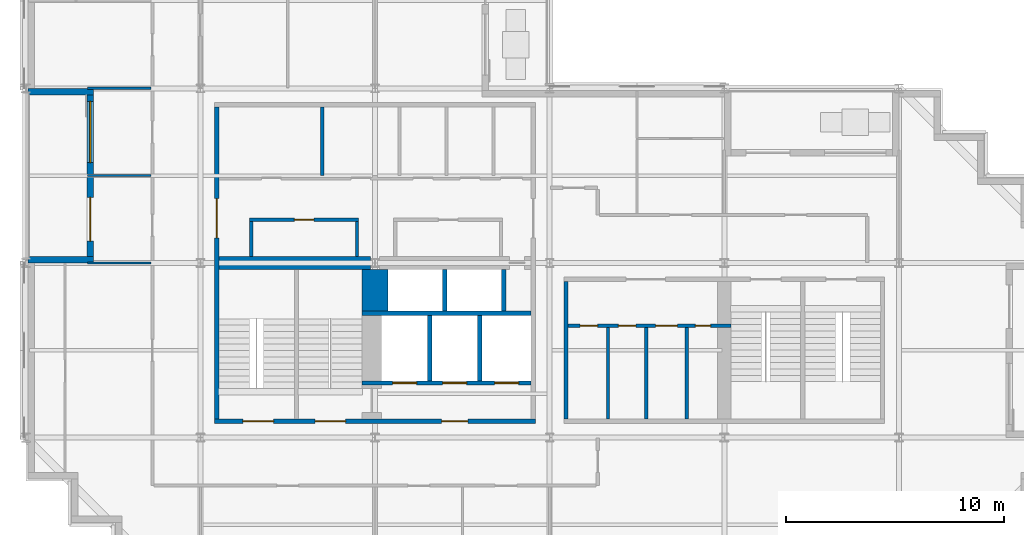
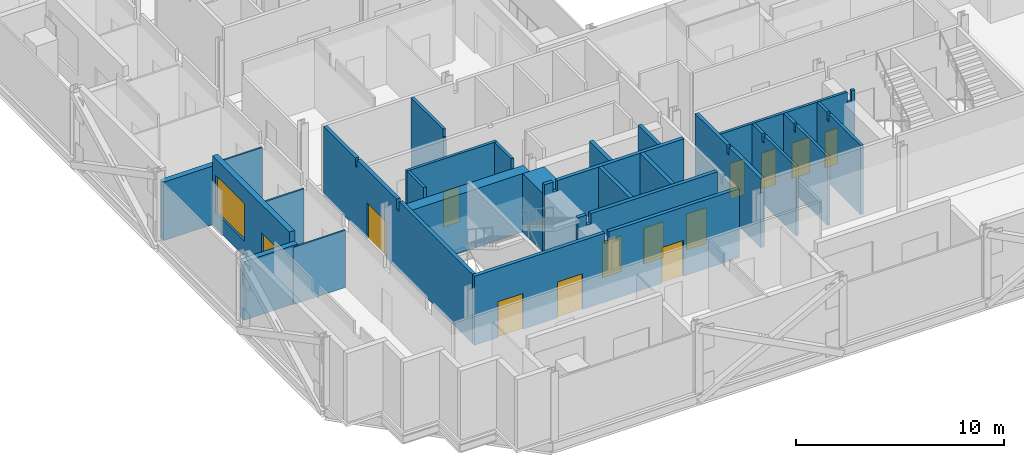
# One storey, part 5 of 13: 25 walls, 13 doors, 1 window, 14 openings.
"""IFC4 building model written with IfcOpenShell, lengths in metres."""

from ifc_helpers import new_model, si_unit, direction, frame, frame_2d, origin, place, context, subcontext, project, spatial, polyline, rectangle, outline, extrude, material, layer, layer_set, type_object, element, fill, save


model = new_model("IFC4")

# Units and contexts
model_context = context("Model", 3, precision=1e-05, world=origin(), true_north=direction((0.0, 1.0)))
body_context = subcontext(model_context, "Body", "Model", "MODEL_VIEW")
ifc_project = project(units=[si_unit("LENGTHUNIT", "METRE"), si_unit("AREAUNIT", "SQUARE_METRE"), si_unit("VOLUMEUNIT", "CUBIC_METRE"), si_unit("PLANEANGLEUNIT", "RADIAN"), si_unit("MASSUNIT", "GRAM", prefix="KILO")], contexts=[model_context])

# Site, building, storey
site_placement = place(None, origin())
site = spatial("IfcSite", under=ifc_project, at=site_placement, CompositionType="ELEMENT")
building_placement = place(site_placement, origin())
building = spatial("IfcBuilding", under=site, at=building_placement, Name="Immortelle Media Tower", CompositionType="ELEMENT")
storey_placement = place(building_placement, frame((0.0, 0.0, 166.199951171875)))
storey = spatial("IfcBuildingStorey", under=building, at=storey_placement, Name="L34", CompositionType="ELEMENT", Elevation=166.199951171875)

# Wall
ifc_material_1 = material(Name="Fire-rated gypsum board", Category="gypsum")
ifc_layer_1 = layer(ifc_material_1, 0.02490234375)
ifc_material_2 = material(Name="Steel ASTM A653 SS Gr 50 stud frame with mineral wool", Category="steel")
ifc_layer_2 = layer(ifc_material_2, 0.10009765625)
ifc_layer_3 = layer(ifc_material_1, 0.02490234375)
ifc_layer_set_1 = layer_set([ifc_layer_1, ifc_layer_2, ifc_layer_3], Name="Steel ASTM A653 SS Gr 50 stud frame with mineral wool")
wall_type_1 = type_object("IfcWallType", Name="Core partition 150", PredefinedType="PARTITIONING", material=ifc_layer_set_1)
wall_1_placement = place(storey_placement, frame((10.324951171875, 16.300048828125, 0.0), z_axis=(0.0, 0.0, 1.0), x_axis=(0.0, 1.0, 0.0)))
element("IfcWall", 1, at=wall_1_placement, inside=storey, type_object=wall_type_1, Name="Core partition SW", PredefinedType="PARTITIONING", context=body_context, shape_type="SweptSolid", body=[
    extrude(rectangle(XDim=1.599853515625, YDim=0.14990234375, at=frame_2d((0.7998046875, 0.0))), origin(), (0.0, 0.0, 1.0), 4.050048828125),
])

# Wall, opening, door
wall_2_placement = place(storey_placement, frame((10.25, 17.97509765625, 0.0), z_axis=(0.0, 0.0, 1.0), x_axis=(1.0, 0.0, 0.0)))
wall_2 = element("IfcWall", 2, at=wall_2_placement, inside=storey, type_object=wall_type_1, Name="Core partition SW", PredefinedType="PARTITIONING", context=body_context, shape_type="SweptSolid", body=[
    extrude(rectangle(XDim=5.0, YDim=0.14990234375, at=frame_2d((2.5, 0.0))), origin(), (0.0, 0.0, 1.0), 4.050048828125),
])
opening_1_placement = place(wall_2_placement, frame((2.949951171875, 0.0, 0.0), z_axis=(0.0, 0.0, 1.0), x_axis=(-1.0, 0.0, 0.0)))
opening_1 = element("IfcOpeningElement", 3, at=opening_1_placement, cuts=wall_2, Name="Opening C5-K004", PredefinedType="OPENING", context=body_context, shape_type="SweptSolid", body=[
    extrude(rectangle(XDim=0.89990234375, YDim=2.10009765625, at=frame_2d((0.449951171875, 1.050048828125))), frame((0.0, 0.0849609375, 0.0), z_axis=(0.0, -1.0, 0.0), x_axis=(1.0, 0.0, 0.0)), (0.0, 0.0, 1.0), 0.169921875),
])
ifc_material_3 = material(Name="Timber", Category="wood")
door_type_1 = type_object("IfcDoorType", Name="Room door 900 x 2100", OperationType="NOTDEFINED", PredefinedType="NOTDEFINED", material=ifc_material_3)
door_1_placement = place(opening_1_placement, origin())
door_1 = element("IfcDoor", 4, at=door_1_placement, inside=storey, type_object=door_type_1, Name="Room C5-K004", OperationType="SINGLE_SWING_LEFT", OverallHeight=2.10009765625, OverallWidth=0.89990234375, PredefinedType="NOTDEFINED", context=body_context, shape_type="SweptSolid", body=[
    extrude(rectangle(XDim=0.89990234375, YDim=2.10009765625, at=frame_2d((0.449951171875, 1.050048828125))), frame((0.0, 0.02490234375, 0.0), z_axis=(0.0, -1.0, 0.0), x_axis=(1.0, 0.0, 0.0)), (0.0, 0.0, 1.0), 0.050048828125),
])
fill(opening_1, door_1)

# Walls
wall_3_placement = place(storey_placement, frame((13.574951171875, 20.0, 0.0), z_axis=(0.0, 0.0, 1.0), x_axis=(0.0, 1.0, 0.0)))
element("IfcWall", 5, at=wall_3_placement, inside=storey, type_object=wall_type_1, Name="Core partition SW", PredefinedType="PARTITIONING", context=body_context, shape_type="SweptSolid", body=[
    extrude(outline(polyline([(0.0, 0.0), (3.14990234375, 0.0), (3.14990234375, 4.050048828125), (0.08154296875, 4.050048828125), (0.08056640625, 3.589111328125), (0.0, 3.589111328125), (0.0, 0.0)])), frame((0.0, 0.074951171875, 0.0), z_axis=(0.0, -1.0, 0.0), x_axis=(1.0, 0.0, 0.0)), (0.0, 0.0, 1.0), 0.14990234375),
])
wall_4_placement = place(storey_placement, frame((15.175048828125, 16.300048828125, 0.0), z_axis=(0.0, 0.0, 1.0), x_axis=(0.0, 1.0, 0.0)))
element("IfcWall", 6, at=wall_4_placement, inside=storey, type_object=wall_type_1, Name="Core partition SW", PredefinedType="PARTITIONING", context=body_context, shape_type="SweptSolid", body=[
    extrude(rectangle(XDim=1.599853515625, YDim=0.14990234375, at=frame_2d((0.7998046875, 0.0))), origin(), (0.0, 0.0, 1.0), 4.050048828125),
])

# Wall, openings, doors
wall_5_placement = place(storey_placement, frame((24.85009765625, 13.125, 0.0), z_axis=(0.0, 0.0, 1.0), x_axis=(1.0, 0.0, 0.0)))
wall_5 = element("IfcWall", 7, at=wall_5_placement, inside=storey, type_object=wall_type_1, Name="Core partition SE", PredefinedType="PARTITIONING", context=body_context, shape_type="SweptSolid", body=[
    extrude(outline(polyline([(0.0, 0.0), (7.449951171875, 0.0), (7.449951171875, 4.050048828125), (7.26904296875, 4.050048828125), (7.26806640625, 3.442138671875), (7.031982421875, 3.442138671875), (7.031005859375, 4.050048828125), (0.0, 4.050048828125), (0.0, 0.0)])), frame((0.0, 0.074951171875, 0.0), z_axis=(0.0, -1.0, 0.0), x_axis=(1.0, 0.0, 0.0)), (0.0, 0.0, 1.0), 0.14990234375),
])
opening_2_placement = place(wall_5_placement, frame((1.35009765625, 0.0, 0.0), z_axis=(0.0, 0.0, 1.0), x_axis=(-1.0, 0.0, 0.0)))
opening_2 = element("IfcOpeningElement", 8, at=opening_2_placement, cuts=wall_5, Name="Opening C5-K018", PredefinedType="OPENING", context=body_context, shape_type="SweptSolid", body=[
    extrude(rectangle(XDim=0.800048828125, YDim=2.10009765625, at=frame_2d((0.39990234375, 1.050048828125))), frame((0.0, 0.0849609375, 0.0), z_axis=(0.0, -1.0, 0.0), x_axis=(1.0, 0.0, 0.0)), (0.0, 0.0, 1.0), 0.169921875),
])
opening_3_placement = place(wall_5_placement, frame((3.10009765625, 0.0, 0.0), z_axis=(0.0, 0.0, 1.0), x_axis=(-1.0, 0.0, 0.0)))
opening_3 = element("IfcOpeningElement", 9, at=opening_3_placement, cuts=wall_5, Name="Opening C5-K019", PredefinedType="OPENING", context=body_context, shape_type="SweptSolid", body=[
    extrude(rectangle(XDim=0.800048828125, YDim=2.10009765625, at=frame_2d((0.39990234375, 1.050048828125))), frame((0.0, 0.0849609375, 0.0), z_axis=(0.0, -1.0, 0.0), x_axis=(1.0, 0.0, 0.0)), (0.0, 0.0, 1.0), 0.169921875),
])
opening_4_placement = place(wall_5_placement, frame((5.0, 0.0, 0.0), z_axis=(0.0, 0.0, 1.0), x_axis=(-1.0, 0.0, 0.0)))
opening_4 = element("IfcOpeningElement", 10, at=opening_4_placement, cuts=wall_5, Name="Opening C5-K021", PredefinedType="OPENING", context=body_context, shape_type="SweptSolid", body=[
    extrude(rectangle(XDim=1.0, YDim=2.10009765625, at=frame_2d((0.5, 1.050048828125))), frame((0.0, 0.0849609375, 0.0), z_axis=(0.0, -1.0, 0.0), x_axis=(1.0, 0.0, 0.0)), (0.0, 0.0, 1.0), 0.169921875),
])
opening_5_placement = place(wall_5_placement, frame((6.52490234375, 0.0, 0.0), z_axis=(0.0, 0.0, 1.0), x_axis=(-1.0, 0.0, 0.0)))
opening_5 = element("IfcOpeningElement", 11, at=opening_5_placement, cuts=wall_5, Name="Opening C5-K022", PredefinedType="OPENING", context=body_context, shape_type="SweptSolid", body=[
    extrude(rectangle(XDim=0.699951171875, YDim=2.10009765625, at=frame_2d((0.35009765625, 1.050048828125))), frame((0.0, 0.0849609375, 0.0), z_axis=(0.0, -1.0, 0.0), x_axis=(1.0, 0.0, 0.0)), (0.0, 0.0, 1.0), 0.169921875),
])
door_type_2 = type_object("IfcDoorType", Name="Accessible toilet door 1000 x 2100", OperationType="NOTDEFINED", PredefinedType="NOTDEFINED", material=ifc_material_3)
door_2_placement = place(opening_4_placement, origin())
door_2 = element("IfcDoor", 12, at=door_2_placement, inside=storey, type_object=door_type_2, Name="Accessible toilet C5-K021", OperationType="SINGLE_SWING_LEFT", OverallHeight=2.10009765625, OverallWidth=1.0, PredefinedType="NOTDEFINED", context=body_context, shape_type="SweptSolid", body=[
    extrude(rectangle(XDim=1.0, YDim=2.10009765625, at=frame_2d((0.5, 1.050048828125))), frame((0.0, 0.02490234375, 0.0), z_axis=(0.0, -1.0, 0.0), x_axis=(1.0, 0.0, 0.0)), (0.0, 0.0, 1.0), 0.050048828125),
])
fill(opening_4, door_2)
ifc_material_4 = material(Name="Galvanised steel door leaf and frame ASTM A653", Category="steel")
door_type_3 = type_object("IfcDoorType", Name="Service door 700 x 2100", OperationType="NOTDEFINED", PredefinedType="NOTDEFINED", material=ifc_material_4)
door_3_placement = place(opening_5_placement, origin())
door_3 = element("IfcDoor", 13, at=door_3_placement, inside=storey, type_object=door_type_3, Name="Service C5-K022", OperationType="SINGLE_SWING_LEFT", OverallHeight=2.10009765625, OverallWidth=0.699951171875, PredefinedType="NOTDEFINED", context=body_context, shape_type="SweptSolid", body=[
    extrude(rectangle(XDim=0.699951171875, YDim=2.10009765625, at=frame_2d((0.35009765625, 1.050048828125))), frame((0.0, 0.02490234375, 0.0), z_axis=(0.0, -1.0, 0.0), x_axis=(1.0, 0.0, 0.0)), (0.0, 0.0, 1.0), 0.050048828125),
])
fill(opening_5, door_3)
door_type_4 = type_object("IfcDoorType", Name="Toilet door 800 x 2100", OperationType="NOTDEFINED", PredefinedType="NOTDEFINED", material=ifc_material_3)
door_4_placement = place(opening_2_placement, origin())
door_4 = element("IfcDoor", 14, at=door_4_placement, inside=storey, type_object=door_type_4, Name="Toilet C5-K018", OperationType="SINGLE_SWING_LEFT", OverallHeight=2.10009765625, OverallWidth=0.800048828125, PredefinedType="NOTDEFINED", context=body_context, shape_type="SweptSolid", body=[
    extrude(rectangle(XDim=0.800048828125, YDim=2.10009765625, at=frame_2d((0.39990234375, 1.050048828125))), frame((0.0, 0.02490234375, 0.0), z_axis=(0.0, -1.0, 0.0), x_axis=(1.0, 0.0, 0.0)), (0.0, 0.0, 1.0), 0.050048828125),
])
fill(opening_2, door_4)
door_5_placement = place(opening_3_placement, origin())
door_5 = element("IfcDoor", 15, at=door_5_placement, inside=storey, type_object=door_type_4, Name="Toilet C5-K019", OperationType="SINGLE_SWING_RIGHT", OverallHeight=2.10009765625, OverallWidth=0.800048828125, PredefinedType="NOTDEFINED", context=body_context, shape_type="SweptSolid", body=[
    extrude(rectangle(XDim=0.800048828125, YDim=2.10009765625, at=frame_2d((0.39990234375, 1.050048828125))), frame((0.0, 0.02490234375, 0.0), z_axis=(0.0, -1.0, 0.0), x_axis=(1.0, 0.0, 0.0)), (0.0, 0.0, 1.0), 0.050048828125),
])
fill(opening_3, door_5)

# Walls
for number, where, z_axis, x_axis, name in (
    (16, (26.675048828125, 8.85009765625, 0.0), (0.0, 0.0, 1.0), (0.0, 1.0, 0.0), "Core partition SE"),
    (17, (28.425048828125, 8.85009765625, 0.0), (0.0, 0.0, 1.0), (0.0, 1.0, 0.0), "Core partition SE"),
    (18, (30.27490234375, 8.85009765625, 0.0), (0.0, 0.0, 1.0), (0.0, 1.0, 0.0), "Core partition SE"),
):
    element("IfcWall", number, at=place(storey_placement, frame(where, z_axis=z_axis, x_axis=x_axis)), inside=storey, type_object=wall_type_1, Name=name, PredefinedType="PARTITIONING", context=body_context, shape_type="SweptSolid", body=[
        extrude(outline(polyline([(0.0, 0.0), (4.199951171875, 0.0), (4.199951171875, 4.050048828125), (3.2314453125, 4.050048828125), (3.23046875, 3.589111328125), (3.069580078125, 3.589111328125), (3.068603515625, 4.050048828125), (0.0, 4.050048828125), (0.0, 0.0)])), frame((0.0, 0.074951171875, 0.0), z_axis=(0.0, -1.0, 0.0), x_axis=(1.0, 0.0, 0.0)), (0.0, 0.0, 1.0), 0.14990234375),
    ])

# Wall, openings, doors
ifc_layer_4 = layer(ifc_material_1, 0.03759765625)
ifc_layer_5 = layer(ifc_material_2, 0.125)
ifc_layer_6 = layer(ifc_material_1, 0.03759765625)
ifc_layer_set_2 = layer_set([ifc_layer_4, ifc_layer_5, ifc_layer_6], Name="Steel ASTM A653 SS Gr 50 stud frame with mineral wool")
wall_type_2 = type_object("IfcWallType", Name="Core shaft wall 200", PredefinedType="PARTITIONING", material=ifc_layer_set_2)
wall_6_placement = place(storey_placement, frame((15.39990234375, 10.5, 0.0), z_axis=(0.0, 0.0, 1.0), x_axis=(1.0, 0.0, 0.0)))
wall_6 = element("IfcWall", 19, at=wall_6_placement, inside=storey, type_object=wall_type_2, Name="Core shaft wall SW", PredefinedType="PARTITIONING", context=body_context, shape_type="SweptSolid", body=[
    extrude(outline(polyline([(0.0, 0.0), (7.75, 0.0), (7.75, 4.050048828125), (0.718994140625, 4.050048828125), (0.718017578125, 3.442138671875), (0.48193359375, 3.442138671875), (0.48095703125, 4.050048828125), (0.0, 4.050048828125), (0.0, 0.0)])), frame((0.0, 0.10009765625, 0.0), z_axis=(0.0, -1.0, 0.0), x_axis=(1.0, 0.0, 0.0)), (0.0, 0.0, 1.0), 0.199951171875),
])
opening_6_placement = place(wall_6_placement, frame((1.39990234375, 0.0, 0.0)))
opening_6 = element("IfcOpeningElement", 20, at=opening_6_placement, cuts=wall_6, Name="Opening LD", PredefinedType="OPENING", context=body_context, shape_type="SweptSolid", body=[
    extrude(rectangle(XDim=1.10009765625, YDim=2.10009765625, at=frame_2d((0.550048828125, 1.050048828125))), frame((0.0, 0.10986328125, 0.0), z_axis=(0.0, -1.0, 0.0), x_axis=(1.0, 0.0, 0.0)), (0.0, 0.0, 1.0), 0.219970703125),
])
opening_7_placement = place(wall_6_placement, frame((3.699951171875, 0.0, 0.0)))
opening_7 = element("IfcOpeningElement", 21, at=opening_7_placement, cuts=wall_6, Name="Opening LD", PredefinedType="OPENING", context=body_context, shape_type="SweptSolid", body=[
    extrude(rectangle(XDim=1.10009765625, YDim=2.10009765625, at=frame_2d((0.550048828125, 1.050048828125))), frame((0.0, 0.10986328125, 0.0), z_axis=(0.0, -1.0, 0.0), x_axis=(1.0, 0.0, 0.0)), (0.0, 0.0, 1.0), 0.219970703125),
])
opening_8_placement = place(wall_6_placement, frame((6.074951171875, 0.0, 0.0)))
opening_8 = element("IfcOpeningElement", 22, at=opening_8_placement, cuts=wall_6, Name="Opening LD", PredefinedType="OPENING", context=body_context, shape_type="SweptSolid", body=[
    extrude(rectangle(XDim=1.10009765625, YDim=2.10009765625, at=frame_2d((0.550048828125, 1.050048828125))), frame((0.0, 0.10986328125, 0.0), z_axis=(0.0, -1.0, 0.0), x_axis=(1.0, 0.0, 0.0)), (0.0, 0.0, 1.0), 0.219970703125),
])
ifc_material_5 = material(Name="Stainless steel AISI 304", Category="steel")
door_type_5 = type_object("IfcDoorType", Name="Landing door 1100 x 2100", OperationType="SLIDING_TO_LEFT", PredefinedType="NOTDEFINED", material=ifc_material_5)
door_6_placement = place(opening_6_placement, origin())
door_6 = element("IfcDoor", 23, at=door_6_placement, inside=storey, type_object=door_type_5, Name="Landing door FF1 L34", OperationType="SLIDING_TO_LEFT", OverallHeight=2.10009765625, OverallWidth=1.10009765625, PredefinedType="NOTDEFINED", context=body_context, shape_type="SweptSolid", body=[
    extrude(rectangle(XDim=1.10009765625, YDim=2.10009765625, at=frame_2d((0.550048828125, 1.050048828125))), frame((0.0, 0.02490234375, 0.0), z_axis=(0.0, -1.0, 0.0), x_axis=(1.0, 0.0, 0.0)), (0.0, 0.0, 1.0), 0.050048828125),
])
fill(opening_6, door_6)
door_7_placement = place(opening_7_placement, origin())
door_7 = element("IfcDoor", 24, at=door_7_placement, inside=storey, type_object=door_type_5, Name="Landing door FF2 L34", OperationType="SLIDING_TO_LEFT", OverallHeight=2.10009765625, OverallWidth=1.10009765625, PredefinedType="NOTDEFINED", context=body_context, shape_type="SweptSolid", body=[
    extrude(rectangle(XDim=1.10009765625, YDim=2.10009765625, at=frame_2d((0.550048828125, 1.050048828125))), frame((0.0, 0.02490234375, 0.0), z_axis=(0.0, -1.0, 0.0), x_axis=(1.0, 0.0, 0.0)), (0.0, 0.0, 1.0), 0.050048828125),
])
fill(opening_7, door_7)
door_8_placement = place(opening_8_placement, origin())
door_8 = element("IfcDoor", 25, at=door_8_placement, inside=storey, type_object=door_type_5, Name="Landing door FF3 L34", OperationType="SLIDING_TO_LEFT", OverallHeight=2.10009765625, OverallWidth=1.10009765625, PredefinedType="NOTDEFINED", context=body_context, shape_type="SweptSolid", body=[
    extrude(rectangle(XDim=1.10009765625, YDim=2.10009765625, at=frame_2d((0.550048828125, 1.050048828125))), frame((0.0, 0.02490234375, 0.0), z_axis=(0.0, -1.0, 0.0), x_axis=(1.0, 0.0, 0.0)), (0.0, 0.0, 1.0), 0.050048828125),
])
fill(opening_8, door_8)

# Walls
wall_7_placement = place(storey_placement, frame((15.39990234375, 13.699951171875, 0.0), z_axis=(0.0, 0.0, 1.0), x_axis=(1.0, 0.0, 0.0)))
element("IfcWall", 26, at=wall_7_placement, inside=storey, type_object=wall_type_2, Name="Core shaft wall SW", PredefinedType="PARTITIONING", context=body_context, shape_type="SweptSolid", body=[
    extrude(outline(polyline([(0.0, 0.0), (7.75, 0.0), (7.75, 4.050048828125), (0.718994140625, 4.050048828125), (0.718017578125, 3.442138671875), (0.48193359375, 3.442138671875), (0.48095703125, 4.050048828125), (0.0, 4.050048828125), (0.0, 0.0)])), frame((0.0, 0.10009765625, 0.0), z_axis=(0.0, -1.0, 0.0), x_axis=(1.0, 0.0, 0.0)), (0.0, 0.0, 1.0), 0.199951171875),
])
wall_8_placement = place(storey_placement, frame((18.5, 10.60009765625, 0.0), z_axis=(0.0, 0.0, 1.0), x_axis=(0.0, 1.0, 0.0)))
element("IfcWall", 27, at=wall_8_placement, inside=storey, type_object=wall_type_2, Name="Core shaft wall SW", PredefinedType="PARTITIONING", context=body_context, shape_type="SweptSolid", body=[
    extrude(rectangle(XDim=3.0, YDim=0.199951171875, at=frame_2d((1.5, 0.0))), origin(), (0.0, 0.0, 1.0), 4.050048828125),
])
wall_9_placement = place(storey_placement, frame((19.199951171875, 13.800048828125, 0.0), z_axis=(0.0, 0.0, 1.0), x_axis=(0.0, 1.0, 0.0)))
element("IfcWall", 28, at=wall_9_placement, inside=storey, type_object=wall_type_2, Name="Core shaft wall SW", PredefinedType="PARTITIONING", context=body_context, shape_type="SweptSolid", body=[
    extrude(rectangle(XDim=1.89990234375, YDim=0.199951171875, at=frame_2d((0.949951171875, 0.0))), origin(), (0.0, 0.0, 1.0), 4.050048828125),
])
wall_10_placement = place(storey_placement, frame((20.800048828125, 10.60009765625, 0.0), z_axis=(0.0, 0.0, 1.0), x_axis=(0.0, 1.0, 0.0)))
element("IfcWall", 29, at=wall_10_placement, inside=storey, type_object=wall_type_2, Name="Core shaft wall SW", PredefinedType="PARTITIONING", context=body_context, shape_type="SweptSolid", body=[
    extrude(rectangle(XDim=3.0, YDim=0.199951171875, at=frame_2d((1.5, 0.0))), origin(), (0.0, 0.0, 1.0), 4.050048828125),
])
wall_11_placement = place(storey_placement, frame((21.89990234375, 13.800048828125, 0.0), z_axis=(0.0, 0.0, 1.0), x_axis=(0.0, 1.0, 0.0)))
element("IfcWall", 30, at=wall_11_placement, inside=storey, type_object=wall_type_2, Name="Core shaft wall SW", PredefinedType="PARTITIONING", context=body_context, shape_type="SweptSolid", body=[
    extrude(rectangle(XDim=1.89990234375, YDim=0.199951171875, at=frame_2d((0.949951171875, 0.0))), origin(), (0.0, 0.0, 1.0), 4.050048828125),
])
wall_12_placement = place(storey_placement, frame((24.75, 8.85009765625, 0.0), z_axis=(0.0, 0.0, 1.0), x_axis=(0.0, 1.0, 0.0)))
element("IfcWall", 31, at=wall_12_placement, inside=storey, type_object=wall_type_2, Name="Core shaft wall SE", PredefinedType="PARTITIONING", context=body_context, shape_type="SweptSolid", body=[
    extrude(outline(polyline([(0.0, 0.0), (6.2998046875, 0.0), (6.300048828125, 4.050048828125), (3.2314453125, 4.050048828125), (3.23046875, 3.589111328125), (3.069580078125, 3.589111328125), (3.068603515625, 4.050048828125), (0.0, 4.050048828125), (0.0, 0.0)])), frame((0.0, 0.10009765625, 0.0), z_axis=(0.0, -1.0, 0.0), x_axis=(1.0, 0.0, 0.0)), (0.0, 0.0, 1.0), 0.199951171875),
])

# Wall, openings, door, window
ifc_material_6 = material(Name="Pale aluminium cladding panel", Category="aluminium")
ifc_layer_7 = layer(ifc_material_6, 0.030029296875)
ifc_layer_8 = layer(ifc_material_2, 0.257568359375)
ifc_material_7 = material(Name="Moisture-resistant gypsum board", Category="gypsum")
ifc_layer_9 = layer(ifc_material_7, 0.012451171875)
ifc_layer_set_3 = layer_set([ifc_layer_7, ifc_layer_8, ifc_layer_9], Name="Steel ASTM A653 SS Gr 50 stud frame with mineral wool")
wall_type_3 = type_object("IfcWallType", Name="Facade wall 300", PredefinedType="SOLIDWALL", material=ifc_layer_set_3)
wall_13_placement = place(storey_placement, frame((2.949951171875, 23.699951171875, 0.0), z_axis=(0.0, 0.0, 1.0), x_axis=(0.0, -1.0, 0.0)))
wall_13 = element("IfcWall", 32, at=wall_13_placement, inside=storey, type_object=wall_type_3, Name="Loggia wall L34 W35", PredefinedType="SOLIDWALL", context=body_context, shape_type="SweptSolid", body=[
    extrude(rectangle(XDim=7.39990234375, YDim=0.300048828125, at=frame_2d((3.699951171875, 0.0))), origin(), (0.0, 0.0, 1.0), 4.050048828125),
])
opening_9_placement = place(wall_13_placement, frame((0.300048828125, 0.0, 0.89990234375)))
opening_9 = element("IfcOpeningElement", 33, at=opening_9_placement, cuts=wall_13, Name="Opening W1", PredefinedType="OPENING", context=body_context, shape_type="SweptSolid", body=[
    extrude(rectangle(XDim=2.800048828125, YDim=2.199951171875, at=frame_2d((1.39990234375, 1.10009765625))), frame((0.0, 0.159912109375, 0.0), z_axis=(0.0, -1.0, 0.0), x_axis=(1.0, 0.0, 0.0)), (0.0, 0.0, 1.0), 0.320068359375),
])
opening_10_placement = place(wall_13_placement, frame((4.699951171875, 0.0, 0.0)))
opening_10 = element("IfcOpeningElement", 34, at=opening_10_placement, cuts=wall_13, Name="Opening C5-E008", PredefinedType="OPENING", context=body_context, shape_type="SweptSolid", body=[
    extrude(rectangle(XDim=2.0, YDim=2.39990234375, at=frame_2d((1.0, 1.199951171875))), frame((0.0, 0.159912109375, 0.0), z_axis=(0.0, -1.0, 0.0), x_axis=(1.0, 0.0, 0.0)), (0.0, 0.0, 1.0), 0.320068359375),
])
ifc_material_8 = material(Name="Aluminium frame, glazed leaves", Category="aluminium")
door_type_6 = type_object("IfcDoorType", Name="Loggia door 2000 x 2400", OperationType="DOUBLE_DOOR_SINGLE_SWING", PredefinedType="DOOR", material=ifc_material_8)
door_9_placement = place(opening_10_placement, origin())
door_9 = element("IfcDoor", 35, at=door_9_placement, inside=storey, type_object=door_type_6, Name="Door C5-E008", OperationType="DOUBLE_DOOR_SINGLE_SWING", OverallHeight=2.39990234375, OverallWidth=2.0, PredefinedType="DOOR", context=body_context, shape_type="SweptSolid", body=[
    extrude(rectangle(XDim=2.0, YDim=2.39990234375, at=frame_2d((1.0, 1.199951171875))), frame((0.0, 0.02490234375, 0.0), z_axis=(0.0, -1.0, 0.0), x_axis=(1.0, 0.0, 0.0)), (0.0, 0.0, 1.0), 0.050048828125),
])
fill(opening_10, door_9)
ifc_material_9 = material(Name="Aluminium frame", Category="aluminium")
window_type = type_object("IfcWindowType", Name="Window 2800 x 2200", PartitioningType="SINGLE_PANEL", PredefinedType="WINDOW", material=ifc_material_9)
window_placement = place(opening_9_placement, origin())
window = element("IfcWindow", 36, at=window_placement, inside=storey, type_object=window_type, Name="Window L34 L34-R35-B2", OverallHeight=2.199951171875, OverallWidth=2.800048828125, PartitioningType="SINGLE_PANEL", PredefinedType="WINDOW", context=body_context, shape_type="SweptSolid", body=[
    extrude(rectangle(XDim=2.800048828125, YDim=2.199951171875, at=frame_2d((1.39990234375, 1.10009765625))), frame((0.0, 0.030029296875, 0.0), z_axis=(0.0, -1.0, 0.0), x_axis=(1.0, 0.0, 0.0)), (0.0, 0.0, 1.0), 0.06005859375),
])
fill(opening_9, window)

# Walls
for number, where, z_axis, x_axis, name in (
    (37, (0.10009765625, 23.85009765625, 0.0), (0.0, 0.0, 1.0), (1.0, 0.0, 0.0), "Loggia cheek wall L34 W"),
    (38, (0.10009765625, 16.14990234375, 0.0), (0.0, 0.0, 1.0), (1.0, 0.0, 0.0), "Loggia cheek wall L34 W"),
):
    element("IfcWall", number, at=place(storey_placement, frame(where, z_axis=z_axis, x_axis=x_axis)), inside=storey, type_object=wall_type_3, Name=name, PredefinedType="SOLIDWALL", context=body_context, shape_type="SweptSolid", body=[
        extrude(rectangle(XDim=3.0, YDim=0.300048828125, at=frame_2d((1.5, 0.0))), origin(), (0.0, 0.0, 1.0), 3.43701171875),
    ])
ifc_material_10 = material(Name="Gypsum board", Category="gypsum")
ifc_layer_10 = layer(ifc_material_10, 0.012451171875)
ifc_layer_11 = layer(ifc_material_2, 0.074951171875)
ifc_layer_12 = layer(ifc_material_10, 0.012451171875)
ifc_layer_set_4 = layer_set([ifc_layer_10, ifc_layer_11, ifc_layer_12], Name="Steel ASTM A653 SS Gr 50 stud frame with mineral wool")
wall_type_4 = type_object("IfcWallType", Name="Partition 100", PredefinedType="PARTITIONING", material=ifc_layer_set_4)
for number, where, z_axis, x_axis, name in (
    (39, (2.830078125, 16.0, 0.0), (0.0, 0.0, 1.0), (1.0, 0.0, 0.0), "Partition L34-009"),
    (40, (2.830078125, 20.0, 0.0), (0.0, 0.0, 1.0), (1.0, 0.0, 0.0), "Partition L34-017"),
    (41, (2.830078125, 24.0, 0.0), (0.0, 0.0, 1.0), (1.0, 0.0, 0.0), "Partition L34-020"),
):
    element("IfcWall", number, at=place(storey_placement, frame(where, z_axis=z_axis, x_axis=x_axis)), inside=storey, type_object=wall_type_4, Name=name, PredefinedType="PARTITIONING", context=body_context, shape_type="SweptSolid", body=[
        extrude(rectangle(XDim=2.89501953125, YDim=0.10009765625, at=frame_2d((1.447509765625, 0.0))), origin(), (0.0, 0.0, 1.0), 3.35400390625),
    ])
ifc_material_11 = material(Name="Concrete C60", Category="concrete")
ifc_layer_13 = layer(ifc_material_11, 1.199951171875)
ifc_layer_set_5 = layer_set([ifc_layer_13], Name="Concrete C60")
wall_type_5 = type_object("IfcWallType", Name="Stair shaft wall 1200", PredefinedType="PARTITIONING", material=ifc_layer_set_5)
wall_14_placement = place(storey_placement, frame((16.0, 13.800048828125, 0.0), z_axis=(0.0, 0.0, 1.0), x_axis=(0.0, 1.0, 0.0)))
element("IfcWall", 42, at=wall_14_placement, inside=storey, type_object=wall_type_5, Name="Stair shaft wall SW", PredefinedType="PARTITIONING", context=body_context, shape_type="SweptSolid", body=[
    extrude(rectangle(XDim=1.89990234375, YDim=1.199951171875, at=frame_2d((0.949951171875, 0.0))), origin(), (0.0, 0.0, 1.0), 3.442138671875),
])

# Wall, openings, doors
ifc_layer_14 = layer(ifc_material_11, 0.199951171875)
ifc_layer_set_6 = layer_set([ifc_layer_14], Name="Concrete C60")
wall_type_6 = type_object("IfcWallType", Name="Stair shaft wall 200", PredefinedType="PARTITIONING", material=ifc_layer_set_6)
wall_15_placement = place(storey_placement, frame((8.64990234375, 8.75, 0.0), z_axis=(0.0, 0.0, 1.0), x_axis=(1.0, 0.0, 0.0)))
wall_15 = element("IfcWall", 43, at=wall_15_placement, inside=storey, type_object=wall_type_6, Name="Stair shaft wall SW", PredefinedType="PARTITIONING", context=body_context, shape_type="SweptSolid", body=[
    extrude(outline(polyline([(0.0, 0.0), (14.7001953125, 0.0), (14.699951171875, 4.050048828125), (7.468994140625, 4.050048828125), (7.468017578125, 3.442138671875), (7.23193359375, 3.442138671875), (7.23095703125, 4.050048828125), (0.0, 4.050048828125), (0.0, 0.0)])), frame((0.0, 0.10009765625, 0.0), z_axis=(0.0, -1.0, 0.0), x_axis=(1.0, 0.0, 0.0)), (0.0, 0.0, 1.0), 0.199951171875),
])
opening_11_placement = place(wall_15_placement, frame((1.300048828125, 0.0, 0.0)))
opening_11 = element("IfcOpeningElement", 44, at=opening_11_placement, cuts=wall_15, Name="Opening C5-K002", PredefinedType="OPENING", context=body_context, shape_type="SweptSolid", body=[
    extrude(rectangle(XDim=1.39990234375, YDim=2.10009765625, at=frame_2d((0.699951171875, 1.050048828125))), frame((0.0, 0.10986328125, 0.0), z_axis=(0.0, -1.0, 0.0), x_axis=(1.0, 0.0, 0.0)), (0.0, 0.0, 1.0), 0.219970703125),
])
opening_12_placement = place(wall_15_placement, frame((4.60009765625, 0.0, 0.0)))
opening_12 = element("IfcOpeningElement", 45, at=opening_12_placement, cuts=wall_15, Name="Opening C5-K005", PredefinedType="OPENING", context=body_context, shape_type="SweptSolid", body=[
    extrude(rectangle(XDim=1.39990234375, YDim=2.10009765625, at=frame_2d((0.699951171875, 1.050048828125))), frame((0.0, 0.10986328125, 0.0), z_axis=(0.0, -1.0, 0.0), x_axis=(1.0, 0.0, 0.0)), (0.0, 0.0, 1.0), 0.219970703125),
])
opening_13_placement = place(wall_15_placement, frame((10.39990234375, 0.0, 0.0)))
opening_13 = element("IfcOpeningElement", 46, at=opening_13_placement, cuts=wall_15, Name="Opening C5-K011", PredefinedType="OPENING", context=body_context, shape_type="SweptSolid", body=[
    extrude(rectangle(XDim=1.199951171875, YDim=2.10009765625, at=frame_2d((0.60009765625, 1.050048828125))), frame((0.0, 0.10986328125, 0.0), z_axis=(0.0, -1.0, 0.0), x_axis=(1.0, 0.0, 0.0)), (0.0, 0.0, 1.0), 0.219970703125),
])
door_type_7 = type_object("IfcDoorType", Name="Fire-fighting lobby door 1200 x 2100", OperationType="NOTDEFINED", PredefinedType="NOTDEFINED", material=ifc_material_4)
door_10_placement = place(opening_13_placement, origin())
door_10 = element("IfcDoor", 47, at=door_10_placement, inside=storey, type_object=door_type_7, Name="Fire-fighting lobby C5-K011", OperationType="SINGLE_SWING_RIGHT", OverallHeight=2.10009765625, OverallWidth=1.199951171875, PredefinedType="NOTDEFINED", context=body_context, shape_type="SweptSolid", body=[
    extrude(rectangle(XDim=1.199951171875, YDim=2.10009765625, at=frame_2d((0.60009765625, 1.050048828125))), frame((0.0, 0.02490234375, 0.0), z_axis=(0.0, -1.0, 0.0), x_axis=(1.0, 0.0, 0.0)), (0.0, 0.0, 1.0), 0.050048828125),
])
fill(opening_13, door_10)
door_type_8 = type_object("IfcDoorType", Name="Stair door 1400 x 2100", OperationType="DOUBLE_DOOR_SINGLE_SWING", PredefinedType="NOTDEFINED", material=ifc_material_4)
door_11_placement = place(opening_11_placement, origin())
door_11 = element("IfcDoor", 48, at=door_11_placement, inside=storey, type_object=door_type_8, Name="Stair C5-K002", OperationType="DOUBLE_DOOR_SINGLE_SWING", OverallHeight=2.10009765625, OverallWidth=1.39990234375, PredefinedType="NOTDEFINED", context=body_context, shape_type="SweptSolid", body=[
    extrude(rectangle(XDim=1.39990234375, YDim=2.10009765625, at=frame_2d((0.699951171875, 1.050048828125))), frame((0.0, 0.02490234375, 0.0), z_axis=(0.0, -1.0, 0.0), x_axis=(1.0, 0.0, 0.0)), (0.0, 0.0, 1.0), 0.050048828125),
])
fill(opening_11, door_11)
door_12_placement = place(opening_12_placement, origin())
door_12 = element("IfcDoor", 49, at=door_12_placement, inside=storey, type_object=door_type_8, Name="Stair C5-K005", OperationType="DOUBLE_DOOR_SINGLE_SWING", OverallHeight=2.10009765625, OverallWidth=1.39990234375, PredefinedType="NOTDEFINED", context=body_context, shape_type="SweptSolid", body=[
    extrude(rectangle(XDim=1.39990234375, YDim=2.10009765625, at=frame_2d((0.699951171875, 1.050048828125))), frame((0.0, 0.02490234375, 0.0), z_axis=(0.0, -1.0, 0.0), x_axis=(1.0, 0.0, 0.0)), (0.0, 0.0, 1.0), 0.050048828125),
])
fill(opening_12, door_12)

# Wall, opening, door
wall_16_placement = place(storey_placement, frame((8.75, 8.85009765625, 0.0), z_axis=(0.0, 0.0, 1.0), x_axis=(0.0, 1.0, 0.0)))
wall_16 = element("IfcWall", 50, at=wall_16_placement, inside=storey, type_object=wall_type_6, Name="Stair shaft wall SW", PredefinedType="PARTITIONING", context=body_context, shape_type="SweptSolid", body=[
    extrude(outline(polyline([(0.0, 0.0), (14.2998046875, 0.0), (14.300048828125, 4.050048828125), (11.2314453125, 4.050048828125), (11.23046875, 3.589111328125), (11.069580078125, 3.589111328125), (11.068603515625, 4.050048828125), (7.26904296875, 4.050048828125), (7.26806640625, 3.442138671875), (7.031982421875, 3.442138671875), (7.031005859375, 4.050048828125), (0.0, 4.050048828125), (0.0, 0.0)])), frame((0.0, 0.10009765625, 0.0), z_axis=(0.0, -1.0, 0.0), x_axis=(1.0, 0.0, 0.0)), (0.0, 0.0, 1.0), 0.199951171875),
])
opening_14_placement = place(wall_16_placement, frame((8.300048828125, 0.0, 0.0)))
opening_14 = element("IfcOpeningElement", 51, at=opening_14_placement, cuts=wall_16, Name="Opening C5-K001", PredefinedType="OPENING", context=body_context, shape_type="SweptSolid", body=[
    extrude(rectangle(XDim=1.800048828125, YDim=2.10009765625, at=frame_2d((0.89990234375, 1.050048828125))), frame((0.0, 0.10986328125, 0.0), z_axis=(0.0, -1.0, 0.0), x_axis=(1.0, 0.0, 0.0)), (0.0, 0.0, 1.0), 0.219970703125),
])
door_type_9 = type_object("IfcDoorType", Name="Lift lobby door 1800 x 2100", OperationType="DOUBLE_DOOR_SINGLE_SWING", PredefinedType="NOTDEFINED", material=ifc_material_4)
door_13_placement = place(opening_14_placement, origin())
door_13 = element("IfcDoor", 52, at=door_13_placement, inside=storey, type_object=door_type_9, Name="Lift lobby C5-K001", OperationType="DOUBLE_DOOR_SINGLE_SWING", OverallHeight=2.10009765625, OverallWidth=1.800048828125, PredefinedType="NOTDEFINED", context=body_context, shape_type="SweptSolid", body=[
    extrude(rectangle(XDim=1.800048828125, YDim=2.10009765625, at=frame_2d((0.89990234375, 1.050048828125))), frame((0.0, 0.02490234375, 0.0), z_axis=(0.0, -1.0, 0.0), x_axis=(1.0, 0.0, 0.0)), (0.0, 0.0, 1.0), 0.050048828125),
])
fill(opening_14, door_13)

# Wall
ifc_layer_15 = layer(ifc_material_11, 0.60009765625)
ifc_layer_set_7 = layer_set([ifc_layer_15], Name="Concrete C60")
wall_type_7 = type_object("IfcWallType", Name="Stair shaft wall 600", PredefinedType="PARTITIONING", material=ifc_layer_set_7)
wall_17_placement = place(storey_placement, frame((8.85009765625, 16.0, 0.0), z_axis=(0.0, 0.0, 1.0), x_axis=(1.0, 0.0, 0.0)))
element("IfcWall", 53, at=wall_17_placement, inside=storey, type_object=wall_type_7, Name="Stair shaft wall SW", PredefinedType="PARTITIONING", context=body_context, shape_type="SweptSolid", body=[
    extrude(rectangle(XDim=6.9404296875, YDim=0.60009765625, at=frame_2d((3.47021484375, 0.0))), origin(), (0.0, 0.0, 1.0), 3.442138671875),
])

save(model, "model.ifc")
